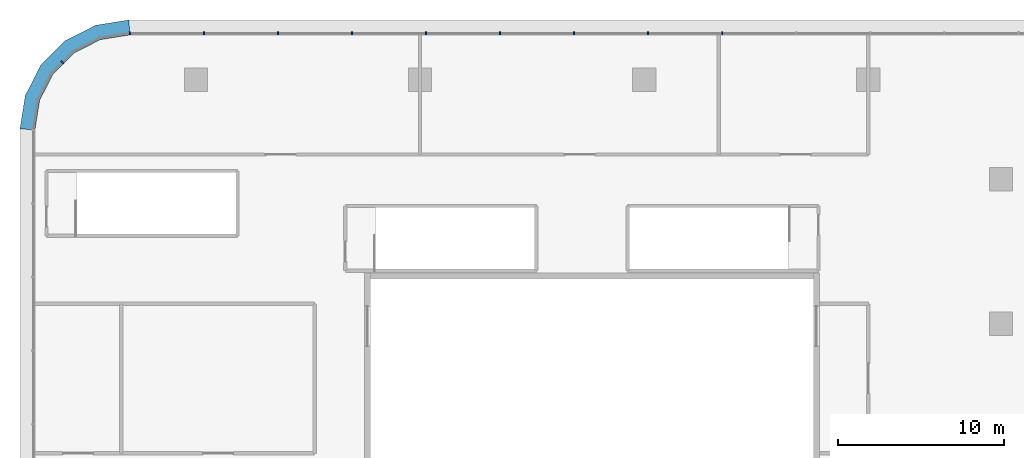
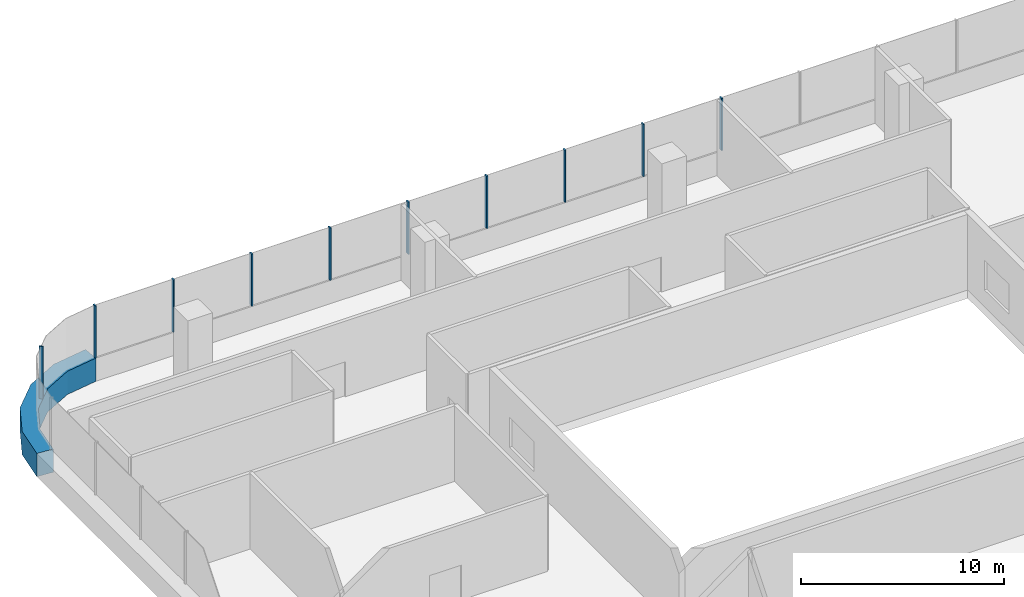
# One storey, part 13 of 38: 11 members, 2 elements without a shape of their own.
"""IFC4 building model written with IfcOpenShell, lengths in metres."""

import ifcopenshell
import ifcopenshell.guid

model = None  # the IFC model being written
_history = None  # IfcOwnerHistory: only IFC2X3 demands one
_inside = {}  # id of a spatial element -> (the spatial element, [elements in it])
_under = {}  # id of a project, library or spatial element -> (it, [spatial elements below it])
_declared = {}  # id of a project -> (the project, [libraries it declares])
_typed = {}  # id of a type object -> (the type object, [elements of that type])
_made_of = {}  # id of a material, layer set ... -> (it, [elements and type objects made of it])


def new_model(schema):
    """Start an empty IFC model of exactly this schema.

    Asked for "IFC4X3", IfcOpenShell would pick the latest addendum, in which some entities
    have other attributes; the version numbers below select the first issue.
    IFC2X3 requires an IfcOwnerHistory on every rooted entity: one is made here for all.
    """
    global model, _history
    if schema == "IFC4X3":
        model = ifcopenshell.file(schema_version=(4, 3, 0, 0))
    else:
        model = ifcopenshell.file(schema=schema)
    _inside.clear()
    _under.clear()
    _declared.clear()
    _typed.clear()
    _made_of.clear()
    _history = None
    if model.schema == "IFC2X3":
        org = make("IfcOrganization", Name="unknown")
        user = make(
            "IfcPersonAndOrganization",
            ThePerson=make("IfcPerson", FamilyName="unknown"),
            TheOrganization=org,
        )
        app = make(
            "IfcApplication",
            ApplicationDeveloper=org,
            Version="unknown",
            ApplicationFullName="unknown",
            ApplicationIdentifier="unknown",
        )
        _history = make(
            "IfcOwnerHistory",
            OwningUser=user,
            OwningApplication=app,
            ChangeAction="ADDED",
            CreationDate=0,
        )
    return model


def make(cls, **values):
    """One entity of the class cls with the attributes given. An attribute that is None is left unset."""
    return model.create_entity(
        cls, **{name: value for name, value in values.items() if value is not None}
    )


def rooted(cls, **values):
    """An entity with a GlobalId (a new one), such as an element, a storey or a relation."""
    return make(cls, GlobalId=ifcopenshell.guid.new(), OwnerHistory=_history, **values)


def si_unit(unit_type, name, prefix=None):
    """IfcSIUnit, for example si_unit("LENGTHUNIT", "METRE", prefix="MILLI")."""
    return make("IfcSIUnit", UnitType=unit_type, Prefix=prefix, Name=name)


def assignment(units):
    """IfcUnitAssignment: the units of a project."""
    return None if units is None else make("IfcUnitAssignment", Units=units)


def point(xyz):
    """IfcCartesianPoint."""
    return None if xyz is None else make("IfcCartesianPoint", Coordinates=xyz)


def direction(xyz):
    """IfcDirection."""
    return None if xyz is None else make("IfcDirection", DirectionRatios=xyz)


def frame(location, z_axis=None, x_axis=None):
    """IfcAxis2Placement3D, a coordinate frame: its origin and axes. An axis left out is left unset."""
    return make(
        "IfcAxis2Placement3D",
        Location=point(location),
        Axis=direction(z_axis),
        RefDirection=direction(x_axis),
    )


def frame_2d(location, x_axis=None):
    """IfcAxis2Placement2D, a coordinate frame in the plane: its origin and x axis."""
    return make(
        "IfcAxis2Placement2D", Location=point(location), RefDirection=direction(x_axis)
    )


def origin():
    """The frame at (0, 0, 0) with its axes left unset."""
    return frame((0.0, 0.0, 0.0))


def origin_2d():
    """The frame at (0, 0) in the plane with its x axis left unset."""
    return frame_2d((0.0, 0.0))


def place(relative_to, where):
    """IfcLocalPlacement: puts the frame where relative to a parent placement (None: the world)."""
    return make(
        "IfcLocalPlacement", PlacementRelTo=relative_to, RelativePlacement=where
    )


def context(
    kind, dimensions, precision=None, world=None, true_north=None, identifier=None
):
    """IfcGeometricRepresentationContext, for example the 3D "Model" context."""
    return make(
        "IfcGeometricRepresentationContext",
        ContextIdentifier=identifier,
        ContextType=kind,
        CoordinateSpaceDimension=dimensions,
        Precision=precision,
        WorldCoordinateSystem=world,
        TrueNorth=true_north,
    )


def subcontext(parent, identifier, kind, view, scale=None):
    """IfcGeometricRepresentationSubContext, for example "Body" below "Model"."""
    return make(
        "IfcGeometricRepresentationSubContext",
        ContextIdentifier=identifier,
        ContextType=kind,
        ParentContext=parent,
        TargetScale=scale,
        TargetView=view,
    )


def project(units=None, contexts=None):
    """IfcProject with its units and contexts."""
    return rooted(
        "IfcProject",
        Name="project",
        RepresentationContexts=contexts,
        UnitsInContext=assignment(units),
    )


def spatial(cls, under=None, at=None, **own):
    """A site, building, storey or space (cls), placed at a placement, below another one or the project."""
    s = rooted(cls, ObjectPlacement=at, **own)
    if under is not None:
        _under.setdefault(under.id(), (under, []))[1].append(s)
    return s


def polyline(points):
    """IfcPolyline through the points."""
    return make("IfcPolyline", Points=[point(p) for p in points])


def profile(cls, at=None, kind="AREA", **sizes):
    """A parametric profile (cls). Its sizes go by their IFC names, for example OverallWidth=200.0."""
    return make(cls, ProfileType=kind, Position=at, **sizes)


def rectangle(**sizes):
    """IfcRectangleProfileDef."""
    return profile("IfcRectangleProfileDef", **sizes)


def outline(outer, holes=None, kind="AREA"):
    """IfcArbitraryClosedProfileDef: a profile drawn as a closed curve; with holes, ...WithVoids."""
    if holes is None:
        return make("IfcArbitraryClosedProfileDef", ProfileType=kind, OuterCurve=outer)
    return make(
        "IfcArbitraryProfileDefWithVoids",
        ProfileType=kind,
        OuterCurve=outer,
        InnerCurves=holes,
    )


def extrude(swept, where, along, depth):
    """IfcExtrudedAreaSolid: the profile swept, set in the frame where, extruded along a direction by depth."""
    return make(
        "IfcExtrudedAreaSolid",
        SweptArea=swept,
        Position=where,
        ExtrudedDirection=direction(along),
        Depth=depth,
    )


def shape(context_of_items, identifier, shape_type, items):
    """IfcShapeRepresentation: the items that make up one representation, for example the "Body"."""
    return make(
        "IfcShapeRepresentation",
        ContextOfItems=context_of_items,
        RepresentationIdentifier=identifier,
        RepresentationType=shape_type,
        Items=items,
    )


def material(Name=None, Category=None):
    """IfcMaterial."""
    return make("IfcMaterial", Name=Name, Category=Category)


def layer(
    of_material, thickness, ventilated=None, Name=None, Category=None, Priority=None
):
    """IfcMaterialLayer: one layer of a wall or slab, of a material (None: an air gap)."""
    return make(
        "IfcMaterialLayer",
        Material=of_material,
        LayerThickness=thickness,
        IsVentilated=ventilated,
        Name=Name,
        Category=Category,
        Priority=Priority,
    )


def layer_set(layers, Name=None):
    """IfcMaterialLayerSet."""
    return make("IfcMaterialLayerSet", MaterialLayers=layers, LayerSetName=Name)


def material_profile(
    of_material, cross_section, Name=None, Category=None, Priority=None
):
    """IfcMaterialProfile: a cross section and its material."""
    return make(
        "IfcMaterialProfile",
        Name=Name,
        Material=of_material,
        Profile=cross_section,
        Priority=Priority,
        Category=Category,
    )


def profile_set(profiles, Name=None, composite=None):
    """IfcMaterialProfileSet."""
    return make(
        "IfcMaterialProfileSet",
        Name=Name,
        MaterialProfiles=profiles,
        CompositeProfile=composite,
    )


def made_of(thing, what):
    """Note that an element or type object is made of a material, layer set ...; save() writes the relation."""
    if what is not None:
        _made_of.setdefault(what.id(), (what, []))[1].append(thing)
    return thing


def type_object(cls, material=None, **own):
    """A type object (cls), such as IfcWallType, which elements share."""
    return made_of(rooted(cls, **own), material)


def element(
    cls,
    number,
    at=None,
    inside=None,
    cuts=None,
    type_object=None,
    material=None,
    context=None,
    identifier="Body",
    shape_type=None,
    held_by="IfcProductDefinitionShape",
    body=None,
    shapes=None,
    **own,
):
    """One element of the class cls, such as IfcWall. Its Tag is "e" and its number.

    at: its placement. inside: the storey or other place that contains it. cuts: it is an
    opening in that element (IfcRelVoidsElement). A single representation is given by context,
    identifier, shape_type and body (its items); several are given by shapes. held_by: the class
    of the entity that holds the representations. save() writes the other relations.
    """
    e = rooted(cls, Tag="e%d" % number, ObjectPlacement=at, **own)
    if body is not None:
        shapes = [shape(context, identifier, shape_type, body)]
    if shapes is not None:
        e.Representation = make(held_by, Representations=shapes)
    if inside is not None:
        _inside.setdefault(inside.id(), (inside, []))[1].append(e)
    if cuts is not None:
        rooted(
            "IfcRelVoidsElement", RelatingBuildingElement=cuts, RelatedOpeningElement=e
        )
    if type_object is not None:
        _typed.setdefault(type_object.id(), (type_object, []))[1].append(e)
    return made_of(e, material)


def aggregate(whole, parts):
    """IfcRelAggregates: a whole, such as a stair, and the parts it consists of."""
    return rooted("IfcRelAggregates", RelatingObject=whole, RelatedObjects=parts)


def save(model, path):
    """Write the relations noted so far, then the file.

    IfcRelAggregates (storeys below a building ...), IfcRelContainedInSpatialStructure (elements
    in a storey), IfcRelDefinesByType, IfcRelAssociatesMaterial and IfcRelDeclares: one each for
    every whole, place, type object, material and project.
    """
    for whole, parts in _under.values():
        aggregate(whole, parts)
    for where, things in _inside.values():
        rooted(
            "IfcRelContainedInSpatialStructure",
            RelatedElements=things,
            RelatingStructure=where,
        )
    for kind, things in _typed.values():
        rooted("IfcRelDefinesByType", RelatedObjects=things, RelatingType=kind)
    for what, things in _made_of.values():
        rooted("IfcRelAssociatesMaterial", RelatedObjects=things, RelatingMaterial=what)
    for by, libraries in _declared.values():
        rooted("IfcRelDeclares", RelatingContext=by, RelatedDefinitions=libraries)
    model.write(path)


model = new_model("IFC4")

# Units and contexts
model_context = context("Model", 3, precision=1e-05, world=origin(), true_north=direction((0.0, 1.0)))
body_context = subcontext(model_context, "Body", "Model", "MODEL_VIEW")
ifc_project = project(units=[si_unit("LENGTHUNIT", "METRE"), si_unit("AREAUNIT", "SQUARE_METRE"), si_unit("VOLUMEUNIT", "CUBIC_METRE"), si_unit("PLANEANGLEUNIT", "RADIAN"), si_unit("MASSUNIT", "GRAM", prefix="KILO")], contexts=[model_context])

# Site, building, storey
site_placement = place(None, origin())
site = spatial("IfcSite", under=ifc_project, at=site_placement, CompositionType="ELEMENT")
building_placement = place(site_placement, origin())
building = spatial("IfcBuilding", under=site, at=building_placement, Name="Tamarind Cross Interchange Tower", CompositionType="ELEMENT")
storey_placement = place(building_placement, frame((0.0, 0.0, 20.0)))
storey = spatial("IfcBuildingStorey", under=building, at=storey_placement, Name="L03", CompositionType="ELEMENT", Elevation=20.0)

# Curtain wall, member
ifc_material_1 = material(Name="Aluminium 6063-T6", Category="aluminium")
ifc_layer = layer(ifc_material_1, 0.199951171875)
ifc_layer_set = layer_set([ifc_layer], Name="Aluminium 6063-T6")
curtain_wall_type = type_object("IfcCurtainWallType", Name="Podium shopfront and station curtain wall", PredefinedType="NOTDEFINED", material=ifc_layer_set)
curtain_wall_1_placement = place(storey_placement, origin())
curtain_wall_1 = element("IfcCurtainWall", 1, at=curtain_wall_1_placement, inside=storey, type_object=curtain_wall_type, Name="CWS-L03-03", PredefinedType="NOTDEFINED")
ifc_material_2 = material(Name="Aluminium and insulated spandrel panel", Category="aluminium")
member_type_1 = type_object("IfcMemberType", Name="Floor-edge blade transom", PredefinedType="USERDEFINED", material=ifc_material_2)
member_1_placement = place(storey_placement, origin())
member_1 = element("IfcMember", 2, at=member_1_placement, type_object=member_type_1, Name="CWT-L03-03", ObjectType="TRANSOM", PredefinedType="USERDEFINED", context=body_context, shape_type="SweptSolid", body=[
    extrude(outline(polyline([(-57.976318359375, 56.699951171875), (-59.76025390625, 56.41748046875), (-61.34814453125, 55.6083984375), (-62.6083984375, 54.34814453125), (-63.41748046875, 52.76025390625), (-63.699951171875, 50.976318359375), (-64.60009765625, 51.047119140625), (-64.2841796875, 53.041748046875), (-63.345458984375, 54.8837890625), (-61.8837890625, 56.345458984375), (-60.041748046875, 57.2841796875), (-58.047119140625, 57.60009765625), (-57.976318359375, 56.699951171875)])), origin(), (0.0, 0.0, 1.0), 1.39990234375),
])

# Curtain wall, members
curtain_wall_2_placement = place(storey_placement, origin())
curtain_wall_2 = element("IfcCurtainWall", 3, at=curtain_wall_2_placement, inside=storey, type_object=curtain_wall_type, Name="CWS-L03-02", PredefinedType="NOTDEFINED")
ifc_material_profile = material_profile(ifc_material_1, rectangle(XDim=0.080078125, YDim=0.199951171875, at=origin_2d()), Name="Mullion CW3")
ifc_profile_set = profile_set([ifc_material_profile], Name="Aluminium 6063-T6")
member_type_2 = type_object("IfcMemberType", Name="Mullion CW3", PredefinedType="MULLION", material=ifc_profile_set)
member_2_placement = place(storey_placement, frame((-22.3017578125, 56.800048828125, 1.39990234375), z_axis=(0.0, 0.0, 1.0), x_axis=(-1.0, 0.0, 0.0)))
member_2 = element("IfcMember", 4, at=member_2_placement, type_object=member_type_2, Name="CWM-L03-02-18", PredefinedType="MULLION", context=body_context, shape_type="SweptSolid", body=[
    extrude(rectangle(XDim=0.080078125, YDim=0.199951171875, at=origin_2d()), origin(), (0.0, 0.0, 1.0), 3.150146484375),
])
member_3_placement = place(storey_placement, frame((-26.761962890625, 56.800048828125, 1.39990234375), z_axis=(0.0, 0.0, 1.0), x_axis=(-1.0, 0.0, 0.0)))
member_3 = element("IfcMember", 5, at=member_3_placement, type_object=member_type_2, Name="CWM-L03-02-19", PredefinedType="MULLION", context=body_context, shape_type="SweptSolid", body=[
    extrude(rectangle(XDim=0.080078125, YDim=0.199951171875, at=origin_2d()), origin(), (0.0, 0.0, 1.0), 3.150146484375),
])
member_4_placement = place(storey_placement, frame((-31.222412109375, 56.800048828125, 1.39990234375), z_axis=(0.0, 0.0, 1.0), x_axis=(-1.0, 0.0, 0.0)))
member_4 = element("IfcMember", 6, at=member_4_placement, type_object=member_type_2, Name="CWM-L03-02-20", PredefinedType="MULLION", context=body_context, shape_type="SweptSolid", body=[
    extrude(rectangle(XDim=0.080078125, YDim=0.199951171875, at=origin_2d()), origin(), (0.0, 0.0, 1.0), 3.150146484375),
])
member_5_placement = place(storey_placement, frame((-35.6826171875, 56.800048828125, 1.39990234375), z_axis=(0.0, 0.0, 1.0), x_axis=(-1.0, 0.0, 0.0)))
member_5 = element("IfcMember", 7, at=member_5_placement, type_object=member_type_2, Name="CWM-L03-02-21", PredefinedType="MULLION", context=body_context, shape_type="SweptSolid", body=[
    extrude(rectangle(XDim=0.080078125, YDim=0.199951171875, at=origin_2d()), origin(), (0.0, 0.0, 1.0), 3.150146484375),
])
member_6_placement = place(storey_placement, frame((-40.14306640625, 56.800048828125, 1.39990234375), z_axis=(0.0, 0.0, 1.0), x_axis=(-1.0, 0.0, 0.0)))
member_6 = element("IfcMember", 8, at=member_6_placement, type_object=member_type_2, Name="CWM-L03-02-22", PredefinedType="MULLION", context=body_context, shape_type="SweptSolid", body=[
    extrude(rectangle(XDim=0.080078125, YDim=0.199951171875, at=origin_2d()), origin(), (0.0, 0.0, 1.0), 3.150146484375),
])
member_7_placement = place(storey_placement, frame((-44.603271484375, 56.800048828125, 1.39990234375), z_axis=(0.0, 0.0, 1.0), x_axis=(-1.0, 0.0, 0.0)))
member_7 = element("IfcMember", 9, at=member_7_placement, type_object=member_type_2, Name="CWM-L03-02-23", PredefinedType="MULLION", context=body_context, shape_type="SweptSolid", body=[
    extrude(rectangle(XDim=0.080078125, YDim=0.199951171875, at=origin_2d()), origin(), (0.0, 0.0, 1.0), 3.150146484375),
])
member_8_placement = place(storey_placement, frame((-49.063720703125, 56.800048828125, 1.39990234375), z_axis=(0.0, 0.0, 1.0), x_axis=(-1.0, 0.0, 0.0)))
member_8 = element("IfcMember", 10, at=member_8_placement, type_object=member_type_2, Name="CWM-L03-02-24", PredefinedType="MULLION", context=body_context, shape_type="SweptSolid", body=[
    extrude(rectangle(XDim=0.080078125, YDim=0.199951171875, at=origin_2d()), origin(), (0.0, 0.0, 1.0), 3.150146484375),
])
member_9_placement = place(storey_placement, frame((-53.52392578125, 56.800048828125, 1.39990234375), z_axis=(0.0, 0.0, 1.0), x_axis=(-1.0, 0.0, 0.0)))
member_9 = element("IfcMember", 11, at=member_9_placement, type_object=member_type_2, Name="CWM-L03-02-25", PredefinedType="MULLION", context=body_context, shape_type="SweptSolid", body=[
    extrude(rectangle(XDim=0.080078125, YDim=0.199951171875, at=origin_2d()), origin(), (0.0, 0.0, 1.0), 3.150146484375),
])
aggregate(curtain_wall_2, [member_2, member_3, member_4, member_5, member_6, member_7, member_8, member_9])

# Member
member_10_placement = place(storey_placement, frame((-57.984375, 56.800048828125, 1.39990234375), z_axis=(0.0, 0.0, 1.0), x_axis=(-0.996917333733, -0.078459095728, 0.0)))
member_10 = element("IfcMember", 12, at=member_10_placement, type_object=member_type_2, Name="CWM-L03-03-00", PredefinedType="MULLION", context=body_context, shape_type="SweptSolid", body=[
    extrude(rectangle(XDim=0.080078125, YDim=0.199951171875, at=origin_2d()), origin(), (0.0, 0.0, 1.0), 3.150146484375),
])

member_11_placement = place(storey_placement, frame((-62.049072265625, 55.049072265625, 1.39990234375), z_axis=(0.0, 0.0, 1.0), x_axis=(-0.707106781187, -0.707106781187, 0.0)))
member_11 = element("IfcMember", 13, at=member_11_placement, type_object=member_type_2, Name="CWM-L03-03-01", PredefinedType="MULLION", context=body_context, shape_type="SweptSolid", body=[
    extrude(rectangle(XDim=0.080078125, YDim=0.199951171875, at=origin_2d()), origin(), (0.0, 0.0, 1.0), 3.150146484375),
])

aggregate(curtain_wall_1, [member_10, member_11, member_1])

save(model, "model.ifc")
